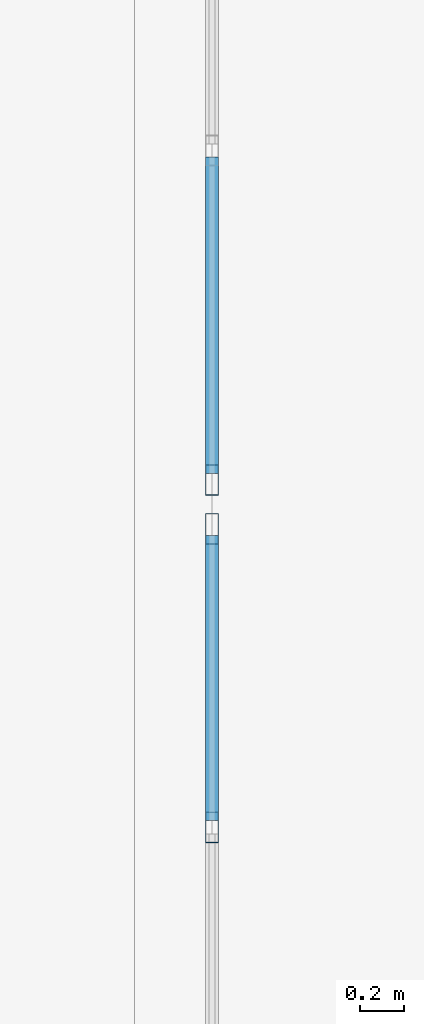
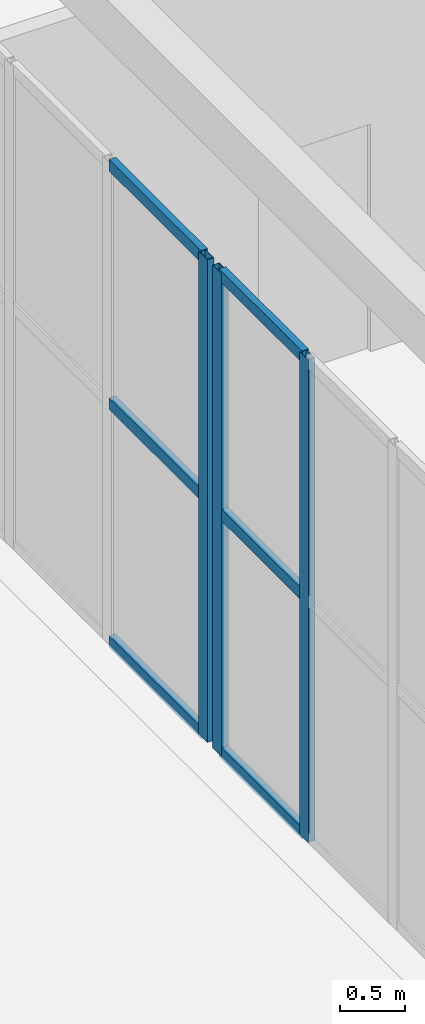
# One storey, part 24 of 158: 9 members, 2 elements without a shape of their own.
"""IFC4 building model written with IfcOpenShell, lengths in metres."""

from ifc_helpers import new_model, si_unit, direction, frame, origin, origin_2d, place, context, subcontext, project, spatial, hollow_rectangle, extrude, material, layer, layer_set, material_profile, profile_set, type_object, element, aggregate, save


model = new_model("IFC4")

# Units and contexts
model_context = context("Model", 3, precision=1e-05, world=origin(), true_north=direction((0.0, 1.0)))
body_context = subcontext(model_context, "Body", "Model", "MODEL_VIEW")
ifc_project = project(units=[si_unit("LENGTHUNIT", "METRE"), si_unit("AREAUNIT", "SQUARE_METRE"), si_unit("VOLUMEUNIT", "CUBIC_METRE"), si_unit("PLANEANGLEUNIT", "RADIAN"), si_unit("MASSUNIT", "GRAM", prefix="KILO")], contexts=[model_context])

# Site, building, storey
site_placement = place(None, origin())
site = spatial("IfcSite", under=ifc_project, at=site_placement, CompositionType="ELEMENT")
building_placement = place(site_placement, origin())
building = spatial("IfcBuilding", under=site, at=building_placement, Name="Trelvath General Hospital", CompositionType="ELEMENT")
storey_placement = place(building_placement, frame((0.0, 0.0, 8.10009765625)))
storey = spatial("IfcBuildingStorey", under=building, at=storey_placement, Name="L02", CompositionType="ELEMENT", Elevation=8.10009765625)

# Curtain wall, members
ifc_material_1 = material(Name="Anodised aluminium and low-E glass", Category="aluminium")
ifc_layer_1 = layer(ifc_material_1, 0.139892578125)
ifc_layer_set_1 = layer_set([ifc_layer_1], Name="Anodised aluminium and low-E glass")
curtain_wall_type_1 = type_object("IfcCurtainWallType", Name="CW CrystalCube 824 456 14", PredefinedType="USERDEFINED", material=ifc_layer_set_1)
curtain_wall_1_placement = place(storey_placement, origin())
curtain_wall_1 = element("IfcCurtainWall", 1, at=curtain_wall_1_placement, inside=storey, type_object=curtain_wall_type_1, Name="Crystal Cube Curtain Wall CUBE-W-T1 W2 L02", ObjectType="Unitised Glazed Curtain Wall", PredefinedType="USERDEFINED")
ifc_material_2 = material(Name="Anodised aluminium", Category="aluminium")
ifc_material_profile_1 = material_profile(ifc_material_2, hollow_rectangle(XDim=0.06005859375, YDim=0.139892578125, WallThickness=0.00390625, at=origin_2d()), Name="RHS60x140x4")
ifc_profile_set_1 = profile_set([ifc_material_profile_1], Name="Anodised aluminium")
member_type_1 = type_object("IfcMemberType", Name="CurtainMullion 60x140", PredefinedType="MULLION", material=ifc_profile_set_1)
member_1_placement = place(storey_placement, frame((53.199951171875, 48.94677734375, 0.0), z_axis=(0.0, 0.0, 1.0), x_axis=(-1.0, 0.0, 0.0)))
member_1 = element("IfcMember", 2, at=member_1_placement, type_object=member_type_1, Name="CW-198 mullion 6", PredefinedType="MULLION", context=body_context, shape_type="SweptSolid", body=[
    extrude(hollow_rectangle(XDim=0.06005859375, YDim=0.139892578125, WallThickness=0.00390625, at=origin_2d()), origin(), (0.0, 0.0, 1.0), 4.559814453125),
])
member_2_placement = place(storey_placement, frame((53.199951171875, 50.2900390625, 0.0), z_axis=(0.0, 0.0, 1.0), x_axis=(-1.0, 0.0, 0.0)))
member_2 = element("IfcMember", 3, at=member_2_placement, type_object=member_type_1, Name="CW-198 mullion 7", PredefinedType="MULLION", context=body_context, shape_type="SweptSolid", body=[
    extrude(hollow_rectangle(XDim=0.06005859375, YDim=0.139892578125, WallThickness=0.00390625, at=origin_2d()), origin(), (0.0, 0.0, 1.0), 4.559814453125),
])

# Curtain wall, member
ifc_material_3 = material(Name="Anodised aluminium and low-E glass", Category="aluminium")
ifc_layer_2 = layer(ifc_material_3, 0.139892578125)
ifc_layer_set_2 = layer_set([ifc_layer_2], Name="Anodised aluminium and low-E glass")
curtain_wall_type_2 = type_object("IfcCurtainWallType", Name="CW CrystalCube 454 456 14", PredefinedType="USERDEFINED", material=ifc_layer_set_2)
curtain_wall_2_placement = place(storey_placement, origin())
curtain_wall_2 = element("IfcCurtainWall", 4, at=curtain_wall_2_placement, inside=storey, type_object=curtain_wall_type_2, Name="Crystal Cube Curtain Wall CUBE-W-T1 W3 L02", ObjectType="Unitised Glazed Curtain Wall", PredefinedType="USERDEFINED")
member_3_placement = place(storey_placement, frame((53.199951171875, 50.510009765625, 0.0), z_axis=(0.0, 0.0, 1.0), x_axis=(-1.0, 0.0, 0.0)))
member_3 = element("IfcMember", 5, at=member_3_placement, type_object=member_type_1, Name="CW-199 mullion 1", PredefinedType="MULLION", context=body_context, shape_type="SweptSolid", body=[
    extrude(hollow_rectangle(XDim=0.06005859375, YDim=0.139892578125, WallThickness=0.00390625, at=origin_2d()), origin(), (0.0, 0.0, 1.0), 4.559814453125),
])

# Member
ifc_material_4 = material(Name="Anodised aluminium", Category="aluminium")
ifc_material_profile_2 = material_profile(ifc_material_4, hollow_rectangle(XDim=0.06005859375, YDim=0.110107421875, WallThickness=0.00390625, at=origin_2d()), Name="RHS60x110x4")
ifc_profile_set_2 = profile_set([ifc_material_profile_2], Name="Anodised aluminium")
member_type_2 = type_object("IfcMemberType", Name="CurtainTransom 60x110", PredefinedType="USERDEFINED", material=ifc_profile_set_2)
member_4_placement = place(storey_placement, frame((53.199951171875, 48.9765625, 0.02978515625), z_axis=(0.0, 1.0, 0.0), x_axis=(-1.0, 0.0, 0.0)))
member_4 = element("IfcMember", 6, at=member_4_placement, type_object=member_type_2, Name="CW-198 transom 6.1", ObjectType="TRANSOM", PredefinedType="USERDEFINED", context=body_context, shape_type="SweptSolid", body=[
    extrude(hollow_rectangle(XDim=0.06005859375, YDim=0.110107421875, WallThickness=0.00390625, at=origin_2d()), origin(), (0.0, 0.0, 1.0), 1.283447265625),
])

member_5_placement = place(storey_placement, frame((53.199951171875, 48.9765625, 2.27978515625), z_axis=(0.0, 1.0, 0.0), x_axis=(-1.0, 0.0, 0.0)))
member_5 = element("IfcMember", 7, at=member_5_placement, type_object=member_type_2, Name="CW-198 transom 6.2", ObjectType="TRANSOM", PredefinedType="USERDEFINED", context=body_context, shape_type="SweptSolid", body=[
    extrude(hollow_rectangle(XDim=0.06005859375, YDim=0.110107421875, WallThickness=0.00390625, at=origin_2d()), origin(), (0.0, 0.0, 1.0), 1.283447265625),
])

member_6_placement = place(storey_placement, frame((53.199951171875, 48.9765625, 4.52978515625), z_axis=(0.0, 1.0, 0.0), x_axis=(-1.0, 0.0, 0.0)))
member_6 = element("IfcMember", 8, at=member_6_placement, type_object=member_type_2, Name="CW-198 transom 6.3", ObjectType="TRANSOM", PredefinedType="USERDEFINED", context=body_context, shape_type="SweptSolid", body=[
    extrude(hollow_rectangle(XDim=0.06005859375, YDim=0.110107421875, WallThickness=0.00390625, at=origin_2d()), origin(), (0.0, 0.0, 1.0), 1.283447265625),
])

aggregate(curtain_wall_1, [member_1, member_2, member_4, member_5, member_6])

member_7_placement = place(storey_placement, frame((53.199951171875, 50.5400390625, 0.02978515625), z_axis=(0.0, 1.0, 0.0), x_axis=(-1.0, 0.0, 0.0)))
member_7 = element("IfcMember", 9, at=member_7_placement, type_object=member_type_2, Name="CW-199 transom 1.1", ObjectType="TRANSOM", PredefinedType="USERDEFINED", context=body_context, shape_type="SweptSolid", body=[
    extrude(hollow_rectangle(XDim=0.06005859375, YDim=0.110107421875, WallThickness=0.00390625, at=origin_2d()), origin(), (0.0, 0.0, 1.0), 1.42333984375),
])

member_8_placement = place(storey_placement, frame((53.199951171875, 50.5400390625, 2.27978515625), z_axis=(0.0, 1.0, 0.0), x_axis=(-1.0, 0.0, 0.0)))
member_8 = element("IfcMember", 10, at=member_8_placement, type_object=member_type_2, Name="CW-199 transom 1.2", ObjectType="TRANSOM", PredefinedType="USERDEFINED", context=body_context, shape_type="SweptSolid", body=[
    extrude(hollow_rectangle(XDim=0.06005859375, YDim=0.110107421875, WallThickness=0.00390625, at=origin_2d()), origin(), (0.0, 0.0, 1.0), 1.42333984375),
])

member_9_placement = place(storey_placement, frame((53.199951171875, 50.5400390625, 4.52978515625), z_axis=(0.0, 1.0, 0.0), x_axis=(-1.0, 0.0, 0.0)))
member_9 = element("IfcMember", 11, at=member_9_placement, type_object=member_type_2, Name="CW-199 transom 1.3", ObjectType="TRANSOM", PredefinedType="USERDEFINED", context=body_context, shape_type="SweptSolid", body=[
    extrude(hollow_rectangle(XDim=0.06005859375, YDim=0.110107421875, WallThickness=0.00390625, at=origin_2d()), origin(), (0.0, 0.0, 1.0), 1.42333984375),
])

aggregate(curtain_wall_2, [member_3, member_7, member_8, member_9])

save(model, "model.ifc")
